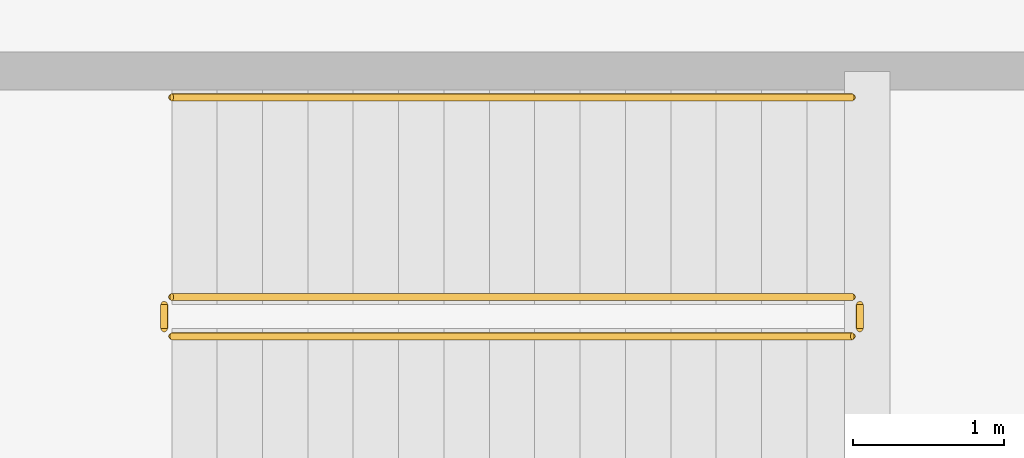
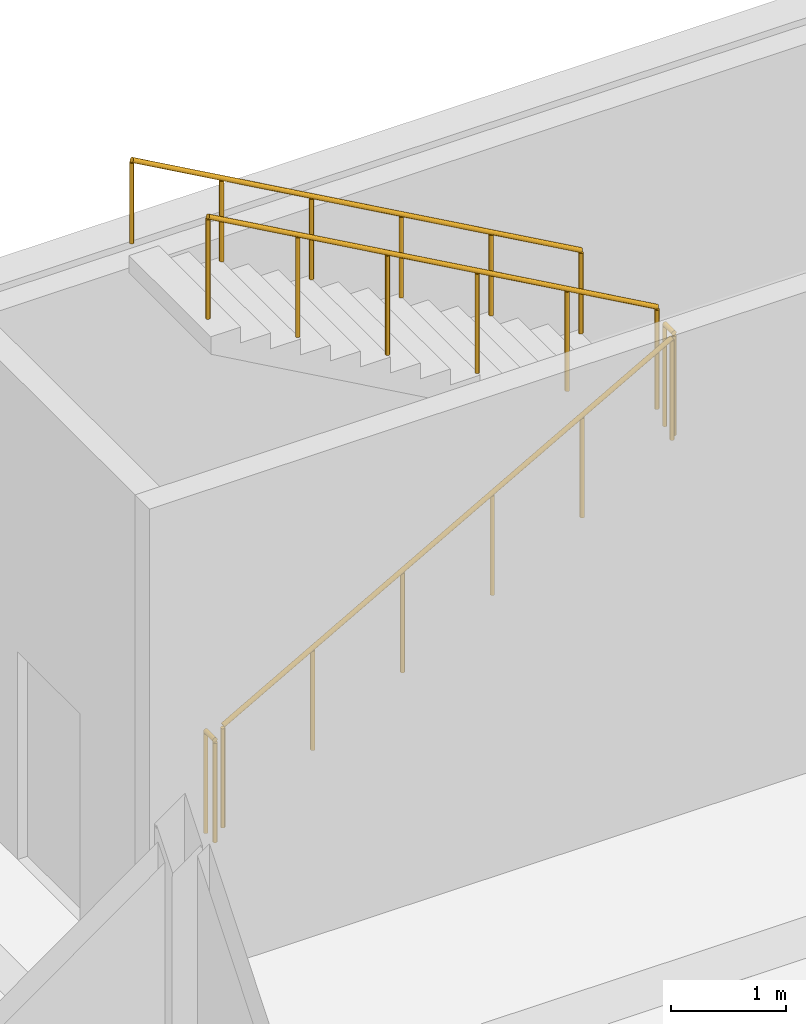
# One storey, part 63 of 72: 5 railings.
"""IFC4 building model written with IfcOpenShell, lengths in metres."""

import ifcopenshell
import ifcopenshell.guid

model = None  # the IFC model being written
_history = None  # IfcOwnerHistory: only IFC2X3 demands one
_inside = {}  # id of a spatial element -> (the spatial element, [elements in it])
_under = {}  # id of a project, library or spatial element -> (it, [spatial elements below it])
_declared = {}  # id of a project -> (the project, [libraries it declares])
_typed = {}  # id of a type object -> (the type object, [elements of that type])
_made_of = {}  # id of a material, layer set ... -> (it, [elements and type objects made of it])


def new_model(schema):
    """Start an empty IFC model of exactly this schema.

    Asked for "IFC4X3", IfcOpenShell would pick the latest addendum, in which some entities
    have other attributes; the version numbers below select the first issue.
    IFC2X3 requires an IfcOwnerHistory on every rooted entity: one is made here for all.
    """
    global model, _history
    if schema == "IFC4X3":
        model = ifcopenshell.file(schema_version=(4, 3, 0, 0))
    else:
        model = ifcopenshell.file(schema=schema)
    _inside.clear()
    _under.clear()
    _declared.clear()
    _typed.clear()
    _made_of.clear()
    _history = None
    if model.schema == "IFC2X3":
        org = make("IfcOrganization", Name="unknown")
        user = make(
            "IfcPersonAndOrganization",
            ThePerson=make("IfcPerson", FamilyName="unknown"),
            TheOrganization=org,
        )
        app = make(
            "IfcApplication",
            ApplicationDeveloper=org,
            Version="unknown",
            ApplicationFullName="unknown",
            ApplicationIdentifier="unknown",
        )
        _history = make(
            "IfcOwnerHistory",
            OwningUser=user,
            OwningApplication=app,
            ChangeAction="ADDED",
            CreationDate=0,
        )
    return model


def make(cls, **values):
    """One entity of the class cls with the attributes given. An attribute that is None is left unset."""
    return model.create_entity(
        cls, **{name: value for name, value in values.items() if value is not None}
    )


def rooted(cls, **values):
    """An entity with a GlobalId (a new one), such as an element, a storey or a relation."""
    return make(cls, GlobalId=ifcopenshell.guid.new(), OwnerHistory=_history, **values)


def si_unit(unit_type, name, prefix=None):
    """IfcSIUnit, for example si_unit("LENGTHUNIT", "METRE", prefix="MILLI")."""
    return make("IfcSIUnit", UnitType=unit_type, Prefix=prefix, Name=name)


def assignment(units):
    """IfcUnitAssignment: the units of a project."""
    return None if units is None else make("IfcUnitAssignment", Units=units)


def point(xyz):
    """IfcCartesianPoint."""
    return None if xyz is None else make("IfcCartesianPoint", Coordinates=xyz)


def direction(xyz):
    """IfcDirection."""
    return None if xyz is None else make("IfcDirection", DirectionRatios=xyz)


def frame(location, z_axis=None, x_axis=None):
    """IfcAxis2Placement3D, a coordinate frame: its origin and axes. An axis left out is left unset."""
    return make(
        "IfcAxis2Placement3D",
        Location=point(location),
        Axis=direction(z_axis),
        RefDirection=direction(x_axis),
    )


def frame_2d(location, x_axis=None):
    """IfcAxis2Placement2D, a coordinate frame in the plane: its origin and x axis."""
    return make(
        "IfcAxis2Placement2D", Location=point(location), RefDirection=direction(x_axis)
    )


def origin():
    """The frame at (0, 0, 0) with its axes left unset."""
    return frame((0.0, 0.0, 0.0))


def origin_2d():
    """The frame at (0, 0) in the plane with its x axis left unset."""
    return frame_2d((0.0, 0.0))


def place(relative_to, where):
    """IfcLocalPlacement: puts the frame where relative to a parent placement (None: the world)."""
    return make(
        "IfcLocalPlacement", PlacementRelTo=relative_to, RelativePlacement=where
    )


def context(
    kind, dimensions, precision=None, world=None, true_north=None, identifier=None
):
    """IfcGeometricRepresentationContext, for example the 3D "Model" context."""
    return make(
        "IfcGeometricRepresentationContext",
        ContextIdentifier=identifier,
        ContextType=kind,
        CoordinateSpaceDimension=dimensions,
        Precision=precision,
        WorldCoordinateSystem=world,
        TrueNorth=true_north,
    )


def subcontext(parent, identifier, kind, view, scale=None):
    """IfcGeometricRepresentationSubContext, for example "Body" below "Model"."""
    return make(
        "IfcGeometricRepresentationSubContext",
        ContextIdentifier=identifier,
        ContextType=kind,
        ParentContext=parent,
        TargetScale=scale,
        TargetView=view,
    )


def project(units=None, contexts=None):
    """IfcProject with its units and contexts."""
    return rooted(
        "IfcProject",
        Name="project",
        RepresentationContexts=contexts,
        UnitsInContext=assignment(units),
    )


def spatial(cls, under=None, at=None, **own):
    """A site, building, storey or space (cls), placed at a placement, below another one or the project."""
    s = rooted(cls, ObjectPlacement=at, **own)
    if under is not None:
        _under.setdefault(under.id(), (under, []))[1].append(s)
    return s


def profile(cls, at=None, kind="AREA", **sizes):
    """A parametric profile (cls). Its sizes go by their IFC names, for example OverallWidth=200.0."""
    return make(cls, ProfileType=kind, Position=at, **sizes)


def circle(**sizes):
    """IfcCircleProfileDef."""
    return profile("IfcCircleProfileDef", **sizes)


def extrude(swept, where, along, depth):
    """IfcExtrudedAreaSolid: the profile swept, set in the frame where, extruded along a direction by depth."""
    return make(
        "IfcExtrudedAreaSolid",
        SweptArea=swept,
        Position=where,
        ExtrudedDirection=direction(along),
        Depth=depth,
    )


def shape(context_of_items, identifier, shape_type, items):
    """IfcShapeRepresentation: the items that make up one representation, for example the "Body"."""
    return make(
        "IfcShapeRepresentation",
        ContextOfItems=context_of_items,
        RepresentationIdentifier=identifier,
        RepresentationType=shape_type,
        Items=items,
    )


def material(Name=None, Category=None):
    """IfcMaterial."""
    return make("IfcMaterial", Name=Name, Category=Category)


def layer(
    of_material, thickness, ventilated=None, Name=None, Category=None, Priority=None
):
    """IfcMaterialLayer: one layer of a wall or slab, of a material (None: an air gap)."""
    return make(
        "IfcMaterialLayer",
        Material=of_material,
        LayerThickness=thickness,
        IsVentilated=ventilated,
        Name=Name,
        Category=Category,
        Priority=Priority,
    )


def layer_set(layers, Name=None):
    """IfcMaterialLayerSet."""
    return make("IfcMaterialLayerSet", MaterialLayers=layers, LayerSetName=Name)


def made_of(thing, what):
    """Note that an element or type object is made of a material, layer set ...; save() writes the relation."""
    if what is not None:
        _made_of.setdefault(what.id(), (what, []))[1].append(thing)
    return thing


def type_object(cls, material=None, **own):
    """A type object (cls), such as IfcWallType, which elements share."""
    return made_of(rooted(cls, **own), material)


def element(
    cls,
    number,
    at=None,
    inside=None,
    cuts=None,
    type_object=None,
    material=None,
    context=None,
    identifier="Body",
    shape_type=None,
    held_by="IfcProductDefinitionShape",
    body=None,
    shapes=None,
    **own,
):
    """One element of the class cls, such as IfcWall. Its Tag is "e" and its number.

    at: its placement. inside: the storey or other place that contains it. cuts: it is an
    opening in that element (IfcRelVoidsElement). A single representation is given by context,
    identifier, shape_type and body (its items); several are given by shapes. held_by: the class
    of the entity that holds the representations. save() writes the other relations.
    """
    e = rooted(cls, Tag="e%d" % number, ObjectPlacement=at, **own)
    if body is not None:
        shapes = [shape(context, identifier, shape_type, body)]
    if shapes is not None:
        e.Representation = make(held_by, Representations=shapes)
    if inside is not None:
        _inside.setdefault(inside.id(), (inside, []))[1].append(e)
    if cuts is not None:
        rooted(
            "IfcRelVoidsElement", RelatingBuildingElement=cuts, RelatedOpeningElement=e
        )
    if type_object is not None:
        _typed.setdefault(type_object.id(), (type_object, []))[1].append(e)
    return made_of(e, material)


def aggregate(whole, parts):
    """IfcRelAggregates: a whole, such as a stair, and the parts it consists of."""
    return rooted("IfcRelAggregates", RelatingObject=whole, RelatedObjects=parts)


def save(model, path):
    """Write the relations noted so far, then the file.

    IfcRelAggregates (storeys below a building ...), IfcRelContainedInSpatialStructure (elements
    in a storey), IfcRelDefinesByType, IfcRelAssociatesMaterial and IfcRelDeclares: one each for
    every whole, place, type object, material and project.
    """
    for whole, parts in _under.values():
        aggregate(whole, parts)
    for where, things in _inside.values():
        rooted(
            "IfcRelContainedInSpatialStructure",
            RelatedElements=things,
            RelatingStructure=where,
        )
    for kind, things in _typed.values():
        rooted("IfcRelDefinesByType", RelatedObjects=things, RelatingType=kind)
    for what, things in _made_of.values():
        rooted("IfcRelAssociatesMaterial", RelatedObjects=things, RelatingMaterial=what)
    for by, libraries in _declared.values():
        rooted("IfcRelDeclares", RelatingContext=by, RelatedDefinitions=libraries)
    model.write(path)


model = new_model("IFC4")

# Units and contexts
model_context = context("Model", 3, precision=1e-05, world=origin(), true_north=direction((0.0, 1.0)))
body_context = subcontext(model_context, "Body", "Model", "MODEL_VIEW")
ifc_project = project(units=[si_unit("LENGTHUNIT", "METRE"), si_unit("AREAUNIT", "SQUARE_METRE"), si_unit("VOLUMEUNIT", "CUBIC_METRE"), si_unit("PLANEANGLEUNIT", "RADIAN"), si_unit("MASSUNIT", "GRAM", prefix="KILO")], contexts=[model_context])

# Site, building, storey
site_placement = place(None, origin())
site = spatial("IfcSite", under=ifc_project, at=site_placement, CompositionType="ELEMENT")
building_placement = place(site_placement, origin())
building = spatial("IfcBuilding", under=site, at=building_placement, Name="Dornvale Research Institute", CompositionType="ELEMENT")
storey_placement = place(building_placement, origin())
storey = spatial("IfcBuildingStorey", under=building, at=storey_placement, Name="L00", CompositionType="ELEMENT", Elevation=0.0)

# Railings
ifc_material_1 = material(Name="Galvanized Painted Tubular Steel Stair Rail", Category="steel")
ifc_layer_1 = layer(ifc_material_1, 0.050048828125)
ifc_layer_set_1 = layer_set([ifc_layer_1], Name="Galvanized Painted Tubular Steel Stair Rail")
railing_type_1 = type_object("IfcRailingType", Name="Railing_Stair_Guard_1100", PredefinedType="GUARDRAIL", material=ifc_layer_set_1)
railing_1_placement = place(storey_placement, frame((48.820068359375, 82.969970703125, 0.168701171875)))
element("IfcRailing", 1, at=railing_1_placement, inside=storey, type_object=railing_type_1, Name="L00 ST-8 stair guard 1", PredefinedType="GUARDRAIL", context=body_context, shape_type="SweptSolid", body=[
    extrude(circle(Radius=0.02392578125, at=origin_2d()), frame((0.0, 0.0, 1.076171875), z_axis=(0.871575537125, 0.0, 0.490261239633), x_axis=(0.0, 1.0, 0.0)), (0.0, 0.0, 1.0), 5.1630859375),
    extrude(circle(Radius=0.02099609375, at=origin_2d()), origin(), (0.0, 0.0, 1.0), 1.052001953125),
    extrude(circle(Radius=0.02099609375, at=origin_2d()), frame((0.89990234375, 0.0, 0.50634765625)), (0.0, 0.0, 1.0), 1.052001953125),
    extrude(circle(Radius=0.02099609375, at=origin_2d()), frame((1.800048828125, 0.0, 1.012451171875)), (0.0, 0.0, 1.0), 1.052001953125),
    extrude(circle(Radius=0.02099609375, at=origin_2d()), frame((2.699951171875, 0.0, 1.518798828125)), (0.0, 0.0, 1.0), 1.052001953125),
    extrude(circle(Radius=0.02099609375, at=origin_2d()), frame((3.60009765625, 0.0, 2.02490234375)), (0.0, 0.0, 1.0), 1.052001953125),
    extrude(circle(Radius=0.02099609375, at=origin_2d()), frame((4.5, 0.0, 2.53125)), (0.0, 0.0, 1.0), 1.052001953125),
])
railing_2_placement = place(storey_placement, frame((53.3701171875, 83.02001953125, 2.699951171875)))
element("IfcRailing", 2, at=railing_2_placement, inside=storey, type_object=railing_type_1, Name="L00 ST-8 stair guard 2", PredefinedType="GUARDRAIL", context=body_context, shape_type="SweptSolid", body=[
    extrude(circle(Radius=0.02392578125, at=origin_2d()), frame((0.0, 0.0, 1.076171875), z_axis=(0.0, 1.0, 0.0), x_axis=(-1.0, 0.0, 0.0)), (0.0, 0.0, 1.0), 0.159912109375),
    extrude(circle(Radius=0.02099609375, at=origin_2d()), origin(), (0.0, 0.0, 1.0), 1.052001953125),
    extrude(circle(Radius=0.02099609375, at=origin_2d()), frame((0.0, 0.159912109375, 0.0)), (0.0, 0.0, 1.0), 1.052001953125),
])
railing_3_placement = place(storey_placement, frame((53.320068359375, 83.22998046875, 2.86865234375)))
element("IfcRailing", 3, at=railing_3_placement, inside=storey, type_object=railing_type_1, Name="L00 ST-8 stair guard 3", PredefinedType="GUARDRAIL", context=body_context, shape_type="SweptSolid", body=[
    extrude(circle(Radius=0.02392578125, at=origin_2d()), frame((0.0, 0.0, 1.076171875), z_axis=(-0.871575537125, 0.0, 0.490261239633), x_axis=(0.0, -1.0, 0.0)), (0.0, 0.0, 1.0), 5.1630859375),
    extrude(circle(Radius=0.02099609375, at=origin_2d()), origin(), (0.0, 0.0, 1.0), 1.052001953125),
    extrude(circle(Radius=0.02099609375, at=origin_2d()), frame((-0.89990234375, 0.0, 0.50634765625)), (0.0, 0.0, 1.0), 1.052001953125),
    extrude(circle(Radius=0.02099609375, at=origin_2d()), frame((-1.800048828125, 0.0, 1.012451171875)), (0.0, 0.0, 1.0), 1.052001953125),
    extrude(circle(Radius=0.02099609375, at=origin_2d()), frame((-2.699951171875, 0.0, 1.518798828125)), (0.0, 0.0, 1.0), 1.052001953125),
    extrude(circle(Radius=0.02099609375, at=origin_2d()), frame((-3.60009765625, 0.0, 2.02490234375)), (0.0, 0.0, 1.0), 1.052001953125),
    extrude(circle(Radius=0.02099609375, at=origin_2d()), frame((-4.5, 0.0, 2.53125)), (0.0, 0.0, 1.0), 1.052001953125),
])
railing_4_placement = place(storey_placement, frame((48.77001953125, 83.02001953125, 0.0)))
element("IfcRailing", 4, at=railing_4_placement, inside=storey, type_object=railing_type_1, Name="L00 ST-8 stair guard 4", PredefinedType="GUARDRAIL", context=body_context, shape_type="SweptSolid", body=[
    extrude(circle(Radius=0.02392578125, at=origin_2d()), frame((0.0, 0.0, 1.076171875), z_axis=(0.0, 1.0, 0.0), x_axis=(-1.0, 0.0, 0.0)), (0.0, 0.0, 1.0), 0.159912109375),
    extrude(circle(Radius=0.02099609375, at=origin_2d()), origin(), (0.0, 0.0, 1.0), 1.052001953125),
    extrude(circle(Radius=0.02099609375, at=origin_2d()), frame((0.0, 0.159912109375, 0.0)), (0.0, 0.0, 1.0), 1.052001953125),
])
ifc_material_2 = material(Name="Galvanized Painted Tubular Steel Stair Rail", Category="steel")
ifc_layer_2 = layer(ifc_material_2, 0.044921875)
ifc_layer_set_2 = layer_set([ifc_layer_2], Name="Galvanized Painted Tubular Steel Stair Rail")
railing_type_2 = type_object("IfcRailingType", Name="Railing_Stair_Handrail_900", PredefinedType="HANDRAIL", material=ifc_layer_set_2)
railing_5_placement = place(storey_placement, frame((53.320068359375, 84.550048828125, 2.86865234375)))
element("IfcRailing", 5, at=railing_5_placement, inside=storey, type_object=railing_type_2, Name="L00 ST-8 stair handrail 2", PredefinedType="HANDRAIL", context=body_context, shape_type="SweptSolid", body=[
    extrude(circle(Radius=0.02392578125, at=origin_2d()), frame((0.0, 0.0, 0.8759765625), z_axis=(-0.871575537125, 0.0, 0.490261239633), x_axis=(0.0, -1.0, 0.0)), (0.0, 0.0, 1.0), 5.1630859375),
    extrude(circle(Radius=0.02099609375, at=origin_2d()), origin(), (0.0, 0.0, 1.0), 0.851806640625),
    extrude(circle(Radius=0.02099609375, at=origin_2d()), frame((-0.89990234375, 0.0, 0.50634765625)), (0.0, 0.0, 1.0), 0.851806640625),
    extrude(circle(Radius=0.02099609375, at=origin_2d()), frame((-1.800048828125, 0.0, 1.012451171875)), (0.0, 0.0, 1.0), 0.851806640625),
    extrude(circle(Radius=0.02099609375, at=origin_2d()), frame((-2.699951171875, 0.0, 1.518798828125)), (0.0, 0.0, 1.0), 0.851806640625),
    extrude(circle(Radius=0.02099609375, at=origin_2d()), frame((-3.60009765625, 0.0, 2.02490234375)), (0.0, 0.0, 1.0), 0.851806640625),
    extrude(circle(Radius=0.02099609375, at=origin_2d()), frame((-4.5, 0.0, 2.53125)), (0.0, 0.0, 1.0), 0.851806640625),
])

save(model, "model.ifc")
